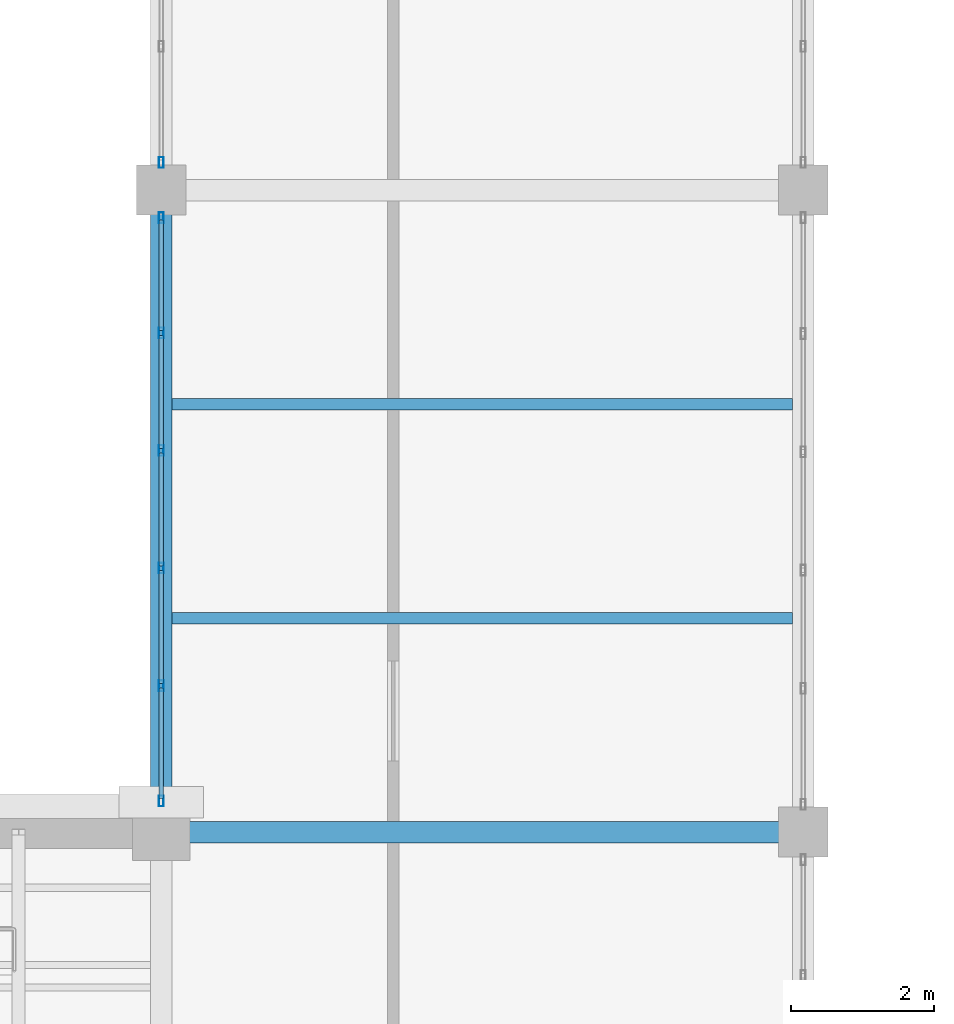
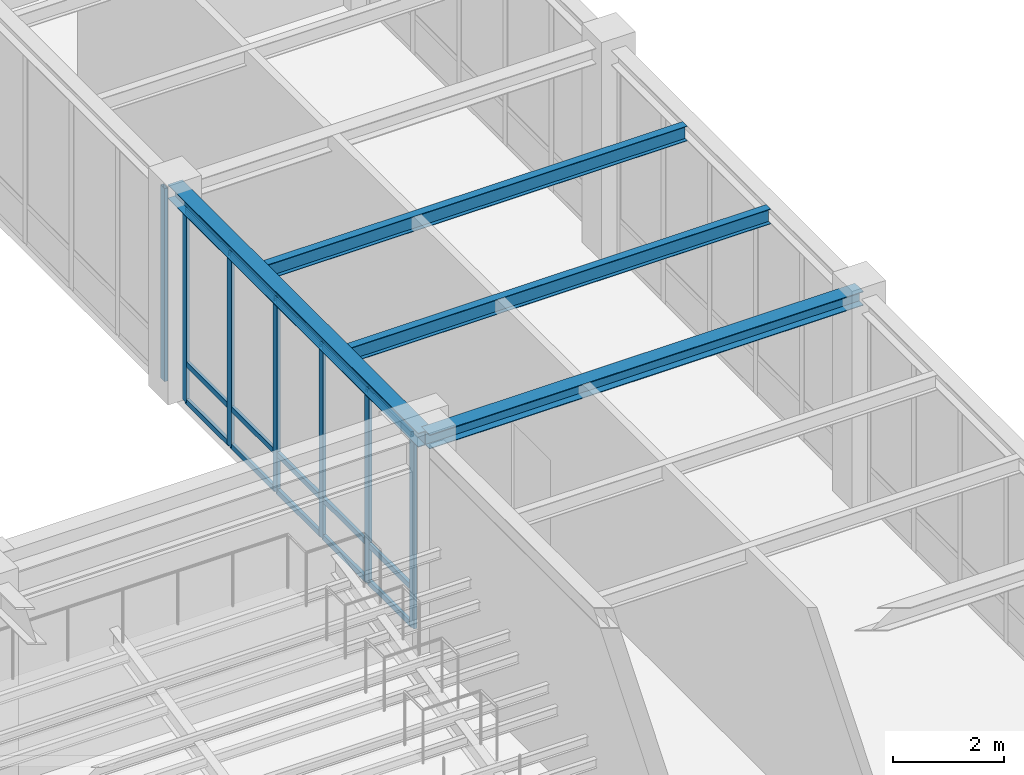
# One storey, part 21 of 98: 22 members, 4 beams, 2 elements without a shape of their own.
"""IFC4 building model written with IfcOpenShell, lengths in metres."""

from ifc_helpers import new_model, si_unit, direction, frame, origin, origin_2d, place, context, subcontext, project, spatial, hollow_rectangle, i_section, extrude, material, material_profile, profile_set, type_object, element, aggregate, save


model = new_model("IFC4")

# Units and contexts
model_context = context("Model", 3, precision=1e-05, world=origin(), true_north=direction((0.0, 1.0)))
body_context = subcontext(model_context, "Body", "Model", "MODEL_VIEW")
ifc_project = project(units=[si_unit("LENGTHUNIT", "METRE"), si_unit("AREAUNIT", "SQUARE_METRE"), si_unit("VOLUMEUNIT", "CUBIC_METRE"), si_unit("PLANEANGLEUNIT", "RADIAN"), si_unit("MASSUNIT", "GRAM", prefix="KILO")], contexts=[model_context])

# Site, building, storey
site_placement = place(None, origin())
site = spatial("IfcSite", under=ifc_project, at=site_placement, CompositionType="ELEMENT")
building_placement = place(site_placement, origin())
building = spatial("IfcBuilding", under=site, at=building_placement, Name="Lykobir Media Centre", CompositionType="ELEMENT")
storey_placement = place(building_placement, frame((0.0, 0.0, 10.199951171875)))
storey = spatial("IfcBuildingStorey", under=building, at=storey_placement, Name="L02", CompositionType="ELEMENT", Elevation=10.199951171875)

# Curtain wall, members
ifc_material_1 = material(Name="Anodized Aluminium AW-6060", Category="aluminium")
curtain_wall_type = type_object("IfcCurtainWallType", Name="CW-COURT-A", PredefinedType="NOTDEFINED", material=ifc_material_1)
curtain_wall_1_placement = place(storey_placement, origin())
curtain_wall_1 = element("IfcCurtainWall", 1, at=curtain_wall_1_placement, inside=storey, type_object=curtain_wall_type, Name="Curtain wall CW2-L02-0097", PredefinedType="NOTDEFINED")
ifc_material_profile_1 = material_profile(ifc_material_1, hollow_rectangle(XDim=0.06494140625, YDim=0.14990234375, WallThickness=0.00341796875, at=origin_2d()), Name="ALU MULLION 65x150")
ifc_profile_set_1 = profile_set([ifc_material_profile_1], Name="Anodized Aluminium AW-6060")
member_type_1 = type_object("IfcMemberType", Name="CWM-150", PredefinedType="MULLION", material=ifc_profile_set_1)
member_1_placement = place(storey_placement, frame((27.0, 45.4375, 0.0), z_axis=(0.0, 0.0, 1.0), x_axis=(-1.0, 0.0, 0.0)))
member_1 = element("IfcMember", 2, at=member_1_placement, type_object=member_type_1, Name="CW2-L02-0097 mullion 1", PredefinedType="MULLION", context=body_context, shape_type="SweptSolid", body=[
    extrude(hollow_rectangle(XDim=0.06494140625, YDim=0.14990234375, WallThickness=0.00341796875, at=origin_2d()), origin(), (0.0, 0.0, 1.0), 4.235107421875),
])
member_2_placement = place(storey_placement, frame((27.0, 47.052978515625, 0.0), z_axis=(0.0, 0.0, 1.0), x_axis=(-1.0, 0.0, 0.0)))
member_2 = element("IfcMember", 3, at=member_2_placement, type_object=member_type_1, Name="CW2-L02-0097 mullion 2", PredefinedType="MULLION", context=body_context, shape_type="SweptSolid", body=[
    extrude(hollow_rectangle(XDim=0.06494140625, YDim=0.14990234375, WallThickness=0.00341796875, at=origin_2d()), origin(), (0.0, 0.0, 1.0), 4.235107421875),
])
member_3_placement = place(storey_placement, frame((27.0, 48.700927734375, 0.0), z_axis=(0.0, 0.0, 1.0), x_axis=(-1.0, 0.0, 0.0)))
member_3 = element("IfcMember", 4, at=member_3_placement, type_object=member_type_1, Name="CW2-L02-0097 mullion 3", PredefinedType="MULLION", context=body_context, shape_type="SweptSolid", body=[
    extrude(hollow_rectangle(XDim=0.06494140625, YDim=0.14990234375, WallThickness=0.00341796875, at=origin_2d()), origin(), (0.0, 0.0, 1.0), 4.235107421875),
])
member_4_placement = place(storey_placement, frame((27.0, 50.34912109375, 0.0), z_axis=(0.0, 0.0, 1.0), x_axis=(-1.0, 0.0, 0.0)))
member_4 = element("IfcMember", 5, at=member_4_placement, type_object=member_type_1, Name="CW2-L02-0097 mullion 4", PredefinedType="MULLION", context=body_context, shape_type="SweptSolid", body=[
    extrude(hollow_rectangle(XDim=0.06494140625, YDim=0.14990234375, WallThickness=0.00341796875, at=origin_2d()), origin(), (0.0, 0.0, 1.0), 4.235107421875),
])
member_5_placement = place(storey_placement, frame((27.0, 51.9970703125, 0.0), z_axis=(0.0, 0.0, 1.0), x_axis=(-1.0, 0.0, 0.0)))
member_5 = element("IfcMember", 6, at=member_5_placement, type_object=member_type_1, Name="CW2-L02-0097 mullion 5", PredefinedType="MULLION", context=body_context, shape_type="SweptSolid", body=[
    extrude(hollow_rectangle(XDim=0.06494140625, YDim=0.14990234375, WallThickness=0.00341796875, at=origin_2d()), origin(), (0.0, 0.0, 1.0), 4.235107421875),
])
member_6_placement = place(storey_placement, frame((27.0, 53.612548828125, 0.0), z_axis=(0.0, 0.0, 1.0), x_axis=(-1.0, 0.0, 0.0)))
member_6 = element("IfcMember", 7, at=member_6_placement, type_object=member_type_1, Name="CW2-L02-0097 mullion 6", PredefinedType="MULLION", context=body_context, shape_type="SweptSolid", body=[
    extrude(hollow_rectangle(XDim=0.06494140625, YDim=0.14990234375, WallThickness=0.00341796875, at=origin_2d()), origin(), (0.0, 0.0, 1.0), 4.235107421875),
])

# Curtain wall, member
curtain_wall_2_placement = place(storey_placement, origin())
curtain_wall_2 = element("IfcCurtainWall", 8, at=curtain_wall_2_placement, inside=storey, type_object=curtain_wall_type, Name="Curtain wall CW2-L02-0098", PredefinedType="NOTDEFINED")
member_7_placement = place(storey_placement, frame((27.0, 54.387451171875, 0.0), z_axis=(0.0, 0.0, 1.0), x_axis=(-1.0, 0.0, 0.0)))
member_7 = element("IfcMember", 9, at=member_7_placement, type_object=member_type_1, Name="CW2-L02-0098 mullion 1", PredefinedType="MULLION", context=body_context, shape_type="SweptSolid", body=[
    extrude(hollow_rectangle(XDim=0.06494140625, YDim=0.14990234375, WallThickness=0.00341796875, at=origin_2d()), origin(), (0.0, 0.0, 1.0), 4.235107421875),
])
aggregate(curtain_wall_2, [member_7])

# Member
ifc_material_profile_2 = material_profile(ifc_material_1, hollow_rectangle(XDim=0.06494140625, YDim=0.1201171875, WallThickness=0.0029296875, at=origin_2d()), Name="ALU TRANSOM 65x120")
ifc_profile_set_2 = profile_set([ifc_material_profile_2], Name="Anodized Aluminium AW-6060")
member_type_2 = type_object("IfcMemberType", Name="CWT-120", PredefinedType="USERDEFINED", material=ifc_profile_set_2)
member_8_placement = place(storey_placement, frame((27.0, 45.469970703125, 0.032470703125), z_axis=(0.0, 1.0, 0.0), x_axis=(-1.0, 0.0, 0.0)))
member_8 = element("IfcMember", 10, at=member_8_placement, type_object=member_type_2, Name="CW2-L02-0097 transom 1.1", ObjectType="TRANSOM", PredefinedType="USERDEFINED", context=body_context, shape_type="SweptSolid", body=[
    extrude(hollow_rectangle(XDim=0.06494140625, YDim=0.1201171875, WallThickness=0.0029296875, at=origin_2d()), origin(), (0.0, 0.0, 1.0), 1.550537109375),
])

member_9_placement = place(storey_placement, frame((27.0, 45.469970703125, 0.85009765625), z_axis=(0.0, 1.0, 0.0), x_axis=(-1.0, 0.0, 0.0)))
member_9 = element("IfcMember", 11, at=member_9_placement, type_object=member_type_2, Name="CW2-L02-0097 transom 1.2", ObjectType="TRANSOM", PredefinedType="USERDEFINED", context=body_context, shape_type="SweptSolid", body=[
    extrude(hollow_rectangle(XDim=0.06494140625, YDim=0.1201171875, WallThickness=0.0029296875, at=origin_2d()), origin(), (0.0, 0.0, 1.0), 1.550537109375),
])

member_10_placement = place(storey_placement, frame((27.0, 45.469970703125, 4.20263671875), z_axis=(0.0, 1.0, 0.0), x_axis=(-1.0, 0.0, 0.0)))
member_10 = element("IfcMember", 12, at=member_10_placement, type_object=member_type_2, Name="CW2-L02-0097 transom 1.3", ObjectType="TRANSOM", PredefinedType="USERDEFINED", context=body_context, shape_type="SweptSolid", body=[
    extrude(hollow_rectangle(XDim=0.06494140625, YDim=0.1201171875, WallThickness=0.0029296875, at=origin_2d()), origin(), (0.0, 0.0, 1.0), 1.550537109375),
])

member_11_placement = place(storey_placement, frame((27.0, 47.08544921875, 0.032470703125), z_axis=(0.0, 1.0, 0.0), x_axis=(-1.0, 0.0, 0.0)))
member_11 = element("IfcMember", 13, at=member_11_placement, type_object=member_type_2, Name="CW2-L02-0097 transom 2.1", ObjectType="TRANSOM", PredefinedType="USERDEFINED", context=body_context, shape_type="SweptSolid", body=[
    extrude(hollow_rectangle(XDim=0.06494140625, YDim=0.1201171875, WallThickness=0.0029296875, at=origin_2d()), origin(), (0.0, 0.0, 1.0), 1.5830078125),
])

member_12_placement = place(storey_placement, frame((27.0, 47.08544921875, 0.85009765625), z_axis=(0.0, 1.0, 0.0), x_axis=(-1.0, 0.0, 0.0)))
member_12 = element("IfcMember", 14, at=member_12_placement, type_object=member_type_2, Name="CW2-L02-0097 transom 2.2", ObjectType="TRANSOM", PredefinedType="USERDEFINED", context=body_context, shape_type="SweptSolid", body=[
    extrude(hollow_rectangle(XDim=0.06494140625, YDim=0.1201171875, WallThickness=0.0029296875, at=origin_2d()), origin(), (0.0, 0.0, 1.0), 1.5830078125),
])

member_13_placement = place(storey_placement, frame((27.0, 47.08544921875, 4.20263671875), z_axis=(0.0, 1.0, 0.0), x_axis=(-1.0, 0.0, 0.0)))
member_13 = element("IfcMember", 15, at=member_13_placement, type_object=member_type_2, Name="CW2-L02-0097 transom 2.3", ObjectType="TRANSOM", PredefinedType="USERDEFINED", context=body_context, shape_type="SweptSolid", body=[
    extrude(hollow_rectangle(XDim=0.06494140625, YDim=0.1201171875, WallThickness=0.0029296875, at=origin_2d()), origin(), (0.0, 0.0, 1.0), 1.5830078125),
])

member_14_placement = place(storey_placement, frame((27.0, 48.7333984375, 0.032470703125), z_axis=(0.0, 1.0, 0.0), x_axis=(-1.0, 0.0, 0.0)))
member_14 = element("IfcMember", 16, at=member_14_placement, type_object=member_type_2, Name="CW2-L02-0097 transom 3.1", ObjectType="TRANSOM", PredefinedType="USERDEFINED", context=body_context, shape_type="SweptSolid", body=[
    extrude(hollow_rectangle(XDim=0.06494140625, YDim=0.1201171875, WallThickness=0.0029296875, at=origin_2d()), origin(), (0.0, 0.0, 1.0), 1.5830078125),
])

member_15_placement = place(storey_placement, frame((27.0, 48.7333984375, 0.85009765625), z_axis=(0.0, 1.0, 0.0), x_axis=(-1.0, 0.0, 0.0)))
member_15 = element("IfcMember", 17, at=member_15_placement, type_object=member_type_2, Name="CW2-L02-0097 transom 3.2", ObjectType="TRANSOM", PredefinedType="USERDEFINED", context=body_context, shape_type="SweptSolid", body=[
    extrude(hollow_rectangle(XDim=0.06494140625, YDim=0.1201171875, WallThickness=0.0029296875, at=origin_2d()), origin(), (0.0, 0.0, 1.0), 1.5830078125),
])

member_16_placement = place(storey_placement, frame((27.0, 48.7333984375, 4.20263671875), z_axis=(0.0, 1.0, 0.0), x_axis=(-1.0, 0.0, 0.0)))
member_16 = element("IfcMember", 18, at=member_16_placement, type_object=member_type_2, Name="CW2-L02-0097 transom 3.3", ObjectType="TRANSOM", PredefinedType="USERDEFINED", context=body_context, shape_type="SweptSolid", body=[
    extrude(hollow_rectangle(XDim=0.06494140625, YDim=0.1201171875, WallThickness=0.0029296875, at=origin_2d()), origin(), (0.0, 0.0, 1.0), 1.5830078125),
])

member_17_placement = place(storey_placement, frame((27.0, 50.381591796875, 0.032470703125), z_axis=(0.0, 1.0, 0.0), x_axis=(-1.0, 0.0, 0.0)))
member_17 = element("IfcMember", 19, at=member_17_placement, type_object=member_type_2, Name="CW2-L02-0097 transom 4.1", ObjectType="TRANSOM", PredefinedType="USERDEFINED", context=body_context, shape_type="SweptSolid", body=[
    extrude(hollow_rectangle(XDim=0.06494140625, YDim=0.1201171875, WallThickness=0.0029296875, at=origin_2d()), origin(), (0.0, 0.0, 1.0), 1.5830078125),
])

member_18_placement = place(storey_placement, frame((27.0, 50.381591796875, 0.85009765625), z_axis=(0.0, 1.0, 0.0), x_axis=(-1.0, 0.0, 0.0)))
member_18 = element("IfcMember", 20, at=member_18_placement, type_object=member_type_2, Name="CW2-L02-0097 transom 4.2", ObjectType="TRANSOM", PredefinedType="USERDEFINED", context=body_context, shape_type="SweptSolid", body=[
    extrude(hollow_rectangle(XDim=0.06494140625, YDim=0.1201171875, WallThickness=0.0029296875, at=origin_2d()), origin(), (0.0, 0.0, 1.0), 1.5830078125),
])

member_19_placement = place(storey_placement, frame((27.0, 50.381591796875, 4.20263671875), z_axis=(0.0, 1.0, 0.0), x_axis=(-1.0, 0.0, 0.0)))
member_19 = element("IfcMember", 21, at=member_19_placement, type_object=member_type_2, Name="CW2-L02-0097 transom 4.3", ObjectType="TRANSOM", PredefinedType="USERDEFINED", context=body_context, shape_type="SweptSolid", body=[
    extrude(hollow_rectangle(XDim=0.06494140625, YDim=0.1201171875, WallThickness=0.0029296875, at=origin_2d()), origin(), (0.0, 0.0, 1.0), 1.5830078125),
])

member_20_placement = place(storey_placement, frame((27.0, 52.029541015625, 0.032470703125), z_axis=(0.0, 1.0, 0.0), x_axis=(-1.0, 0.0, 0.0)))
member_20 = element("IfcMember", 22, at=member_20_placement, type_object=member_type_2, Name="CW2-L02-0097 transom 5.1", ObjectType="TRANSOM", PredefinedType="USERDEFINED", context=body_context, shape_type="SweptSolid", body=[
    extrude(hollow_rectangle(XDim=0.06494140625, YDim=0.1201171875, WallThickness=0.0029296875, at=origin_2d()), origin(), (0.0, 0.0, 1.0), 1.550537109375),
])

member_21_placement = place(storey_placement, frame((27.0, 52.029541015625, 0.85009765625), z_axis=(0.0, 1.0, 0.0), x_axis=(-1.0, 0.0, 0.0)))
member_21 = element("IfcMember", 23, at=member_21_placement, type_object=member_type_2, Name="CW2-L02-0097 transom 5.2", ObjectType="TRANSOM", PredefinedType="USERDEFINED", context=body_context, shape_type="SweptSolid", body=[
    extrude(hollow_rectangle(XDim=0.06494140625, YDim=0.1201171875, WallThickness=0.0029296875, at=origin_2d()), origin(), (0.0, 0.0, 1.0), 1.550537109375),
])

member_22_placement = place(storey_placement, frame((27.0, 52.029541015625, 4.20263671875), z_axis=(0.0, 1.0, 0.0), x_axis=(-1.0, 0.0, 0.0)))
member_22 = element("IfcMember", 24, at=member_22_placement, type_object=member_type_2, Name="CW2-L02-0097 transom 5.3", ObjectType="TRANSOM", PredefinedType="USERDEFINED", context=body_context, shape_type="SweptSolid", body=[
    extrude(hollow_rectangle(XDim=0.06494140625, YDim=0.1201171875, WallThickness=0.0029296875, at=origin_2d()), origin(), (0.0, 0.0, 1.0), 1.550537109375),
])

aggregate(curtain_wall_1, [member_1, member_2, member_3, member_4, member_5, member_6, member_8, member_9, member_10, member_11, member_12, member_13, member_14, member_15, member_16, member_17, member_18, member_19, member_20, member_21, member_22])

# Beams
ifc_material_2 = material(Name="Steel S355", Category="steel")
ifc_material_profile_3 = material_profile(ifc_material_2, i_section(OverallWidth=0.159912109375, OverallDepth=0.330078125, WebThickness=0.007568359375, FlangeThickness=0.011474609375, at=origin_2d()), Name="IPE 330")
ifc_profile_set_3 = profile_set([ifc_material_profile_3], Name="Steel S355")
beam_type_1 = type_object("IfcBeamType", Name="JS-IPE330", PredefinedType="JOIST", material=ifc_profile_set_3)
for number, where, z_axis, x_axis, name in (
    (25, (27.14990234375, 48.0, 4.39501953125), (1.0, 0.0, 0.0), (0.0, 1.0, 0.0), "Beam BM-L02-0272-0480-0358-0480-1460"),
    (26, (27.14990234375, 51.0, 4.39501953125), (1.0, 0.0, 0.0), (0.0, 1.0, 0.0), "Beam BM-L02-0272-0510-0358-0510-1460"),
):
    element("IfcBeam", number, at=place(storey_placement, frame(where, z_axis=z_axis, x_axis=x_axis)), inside=storey, type_object=beam_type_1, Name=name, PredefinedType="JOIST", context=body_context, shape_type="SweptSolid", body=[
        extrude(i_section(OverallWidth=0.159912109375, OverallDepth=0.330078125, WebThickness=0.007568359375, FlangeThickness=0.011474609375, at=origin_2d()), origin(), (0.0, 0.0, 1.0), 8.7001953125),
    ])
ifc_material_profile_4 = material_profile(ifc_material_2, i_section(OverallWidth=0.300048828125, OverallDepth=0.31005859375, WebThickness=0.009033203125, FlangeThickness=0.015380859375, at=origin_2d()), Name="HEA 320")
ifc_profile_set_4 = profile_set([ifc_material_profile_4], Name="Steel S355")
beam_type_2 = type_object("IfcBeamType", Name="SP-HEA320", PredefinedType="SPANDREL", material=ifc_profile_set_4)
for number, where, z_axis, x_axis, name in (
    (27, (27.0, 45.0, 4.405029296875), (1.0, 0.0, 0.0), (0.0, 1.0, 0.0), "Beam BM-L02-0270-0450-0360-0450-1460"),
    (28, (27.0, 45.0, 4.405029296875), (0.0, 1.0, 0.0), (-1.0, 0.0, 0.0), "Beam BM-L02-0270-0450-0270-0540-1460"),
):
    element("IfcBeam", number, at=place(storey_placement, frame(where, z_axis=z_axis, x_axis=x_axis)), inside=storey, type_object=beam_type_2, Name=name, PredefinedType="SPANDREL", context=body_context, shape_type="SweptSolid", body=[
        extrude(i_section(OverallWidth=0.300048828125, OverallDepth=0.31005859375, WebThickness=0.009033203125, FlangeThickness=0.015380859375, at=origin_2d()), origin(), (0.0, 0.0, 1.0), 9.0),
    ])

save(model, "model.ifc")
